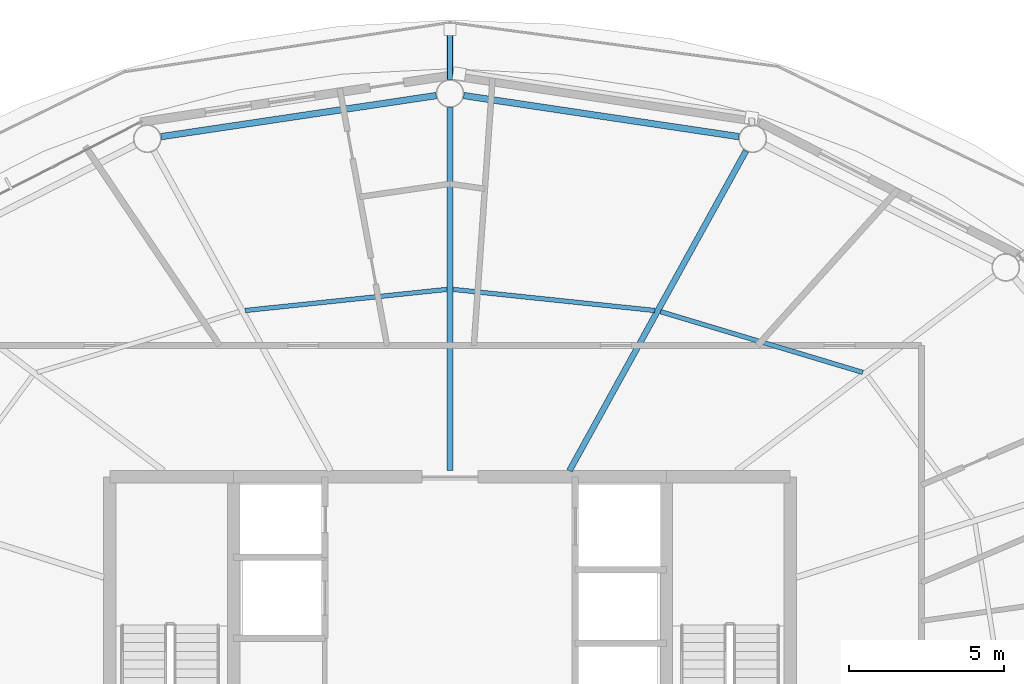
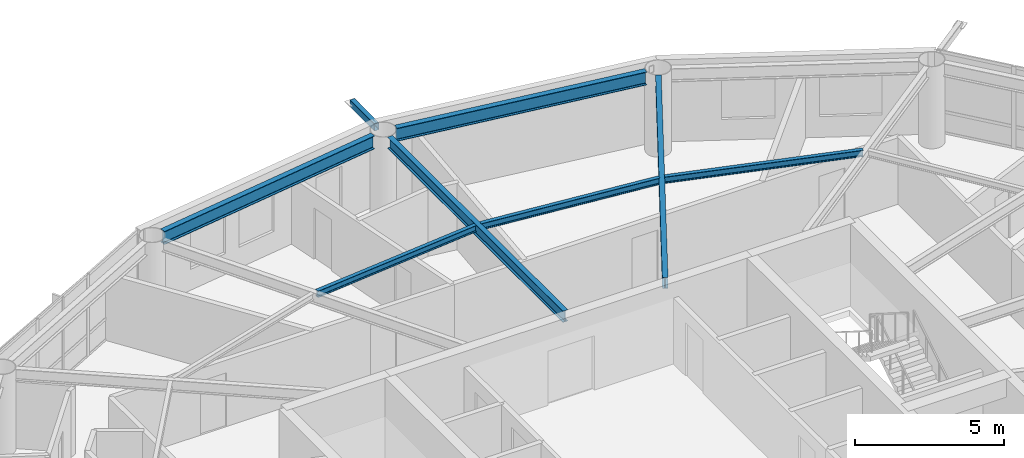
# One storey, part 10 of 22: 7 beams, 1 member.
"""IFC4 building model written with IfcOpenShell, lengths in metres."""

import ifcopenshell
import ifcopenshell.guid

model = None  # the IFC model being written
_history = None  # IfcOwnerHistory: only IFC2X3 demands one
_inside = {}  # id of a spatial element -> (the spatial element, [elements in it])
_under = {}  # id of a project, library or spatial element -> (it, [spatial elements below it])
_declared = {}  # id of a project -> (the project, [libraries it declares])
_typed = {}  # id of a type object -> (the type object, [elements of that type])
_made_of = {}  # id of a material, layer set ... -> (it, [elements and type objects made of it])


def new_model(schema):
    """Start an empty IFC model of exactly this schema.

    Asked for "IFC4X3", IfcOpenShell would pick the latest addendum, in which some entities
    have other attributes; the version numbers below select the first issue.
    IFC2X3 requires an IfcOwnerHistory on every rooted entity: one is made here for all.
    """
    global model, _history
    if schema == "IFC4X3":
        model = ifcopenshell.file(schema_version=(4, 3, 0, 0))
    else:
        model = ifcopenshell.file(schema=schema)
    _inside.clear()
    _under.clear()
    _declared.clear()
    _typed.clear()
    _made_of.clear()
    _history = None
    if model.schema == "IFC2X3":
        org = make("IfcOrganization", Name="unknown")
        user = make(
            "IfcPersonAndOrganization",
            ThePerson=make("IfcPerson", FamilyName="unknown"),
            TheOrganization=org,
        )
        app = make(
            "IfcApplication",
            ApplicationDeveloper=org,
            Version="unknown",
            ApplicationFullName="unknown",
            ApplicationIdentifier="unknown",
        )
        _history = make(
            "IfcOwnerHistory",
            OwningUser=user,
            OwningApplication=app,
            ChangeAction="ADDED",
            CreationDate=0,
        )
    return model


def make(cls, **values):
    """One entity of the class cls with the attributes given. An attribute that is None is left unset."""
    return model.create_entity(
        cls, **{name: value for name, value in values.items() if value is not None}
    )


def rooted(cls, **values):
    """An entity with a GlobalId (a new one), such as an element, a storey or a relation."""
    return make(cls, GlobalId=ifcopenshell.guid.new(), OwnerHistory=_history, **values)


def si_unit(unit_type, name, prefix=None):
    """IfcSIUnit, for example si_unit("LENGTHUNIT", "METRE", prefix="MILLI")."""
    return make("IfcSIUnit", UnitType=unit_type, Prefix=prefix, Name=name)


def assignment(units):
    """IfcUnitAssignment: the units of a project."""
    return None if units is None else make("IfcUnitAssignment", Units=units)


def point(xyz):
    """IfcCartesianPoint."""
    return None if xyz is None else make("IfcCartesianPoint", Coordinates=xyz)


def direction(xyz):
    """IfcDirection."""
    return None if xyz is None else make("IfcDirection", DirectionRatios=xyz)


def frame(location, z_axis=None, x_axis=None):
    """IfcAxis2Placement3D, a coordinate frame: its origin and axes. An axis left out is left unset."""
    return make(
        "IfcAxis2Placement3D",
        Location=point(location),
        Axis=direction(z_axis),
        RefDirection=direction(x_axis),
    )


def frame_2d(location, x_axis=None):
    """IfcAxis2Placement2D, a coordinate frame in the plane: its origin and x axis."""
    return make(
        "IfcAxis2Placement2D", Location=point(location), RefDirection=direction(x_axis)
    )


def origin():
    """The frame at (0, 0, 0) with its axes left unset."""
    return frame((0.0, 0.0, 0.0))


def origin_2d():
    """The frame at (0, 0) in the plane with its x axis left unset."""
    return frame_2d((0.0, 0.0))


def place(relative_to, where):
    """IfcLocalPlacement: puts the frame where relative to a parent placement (None: the world)."""
    return make(
        "IfcLocalPlacement", PlacementRelTo=relative_to, RelativePlacement=where
    )


def context(
    kind, dimensions, precision=None, world=None, true_north=None, identifier=None
):
    """IfcGeometricRepresentationContext, for example the 3D "Model" context."""
    return make(
        "IfcGeometricRepresentationContext",
        ContextIdentifier=identifier,
        ContextType=kind,
        CoordinateSpaceDimension=dimensions,
        Precision=precision,
        WorldCoordinateSystem=world,
        TrueNorth=true_north,
    )


def subcontext(parent, identifier, kind, view, scale=None):
    """IfcGeometricRepresentationSubContext, for example "Body" below "Model"."""
    return make(
        "IfcGeometricRepresentationSubContext",
        ContextIdentifier=identifier,
        ContextType=kind,
        ParentContext=parent,
        TargetScale=scale,
        TargetView=view,
    )


def project(units=None, contexts=None):
    """IfcProject with its units and contexts."""
    return rooted(
        "IfcProject",
        Name="project",
        RepresentationContexts=contexts,
        UnitsInContext=assignment(units),
    )


def spatial(cls, under=None, at=None, **own):
    """A site, building, storey or space (cls), placed at a placement, below another one or the project."""
    s = rooted(cls, ObjectPlacement=at, **own)
    if under is not None:
        _under.setdefault(under.id(), (under, []))[1].append(s)
    return s


def profile(cls, at=None, kind="AREA", **sizes):
    """A parametric profile (cls). Its sizes go by their IFC names, for example OverallWidth=200.0."""
    return make(cls, ProfileType=kind, Position=at, **sizes)


def hollow_rectangle(**sizes):
    """IfcRectangleHollowProfileDef."""
    return profile("IfcRectangleHollowProfileDef", **sizes)


def i_section(**sizes):
    """IfcIShapeProfileDef."""
    return profile("IfcIShapeProfileDef", **sizes)


def extrude(swept, where, along, depth):
    """IfcExtrudedAreaSolid: the profile swept, set in the frame where, extruded along a direction by depth."""
    return make(
        "IfcExtrudedAreaSolid",
        SweptArea=swept,
        Position=where,
        ExtrudedDirection=direction(along),
        Depth=depth,
    )


def shape(context_of_items, identifier, shape_type, items):
    """IfcShapeRepresentation: the items that make up one representation, for example the "Body"."""
    return make(
        "IfcShapeRepresentation",
        ContextOfItems=context_of_items,
        RepresentationIdentifier=identifier,
        RepresentationType=shape_type,
        Items=items,
    )


def material(Name=None, Category=None):
    """IfcMaterial."""
    return make("IfcMaterial", Name=Name, Category=Category)


def material_profile(
    of_material, cross_section, Name=None, Category=None, Priority=None
):
    """IfcMaterialProfile: a cross section and its material."""
    return make(
        "IfcMaterialProfile",
        Name=Name,
        Material=of_material,
        Profile=cross_section,
        Priority=Priority,
        Category=Category,
    )


def profile_set(profiles, Name=None, composite=None):
    """IfcMaterialProfileSet."""
    return make(
        "IfcMaterialProfileSet",
        Name=Name,
        MaterialProfiles=profiles,
        CompositeProfile=composite,
    )


def made_of(thing, what):
    """Note that an element or type object is made of a material, layer set ...; save() writes the relation."""
    if what is not None:
        _made_of.setdefault(what.id(), (what, []))[1].append(thing)
    return thing


def type_object(cls, material=None, **own):
    """A type object (cls), such as IfcWallType, which elements share."""
    return made_of(rooted(cls, **own), material)


def element(
    cls,
    number,
    at=None,
    inside=None,
    cuts=None,
    type_object=None,
    material=None,
    context=None,
    identifier="Body",
    shape_type=None,
    held_by="IfcProductDefinitionShape",
    body=None,
    shapes=None,
    **own,
):
    """One element of the class cls, such as IfcWall. Its Tag is "e" and its number.

    at: its placement. inside: the storey or other place that contains it. cuts: it is an
    opening in that element (IfcRelVoidsElement). A single representation is given by context,
    identifier, shape_type and body (its items); several are given by shapes. held_by: the class
    of the entity that holds the representations. save() writes the other relations.
    """
    e = rooted(cls, Tag="e%d" % number, ObjectPlacement=at, **own)
    if body is not None:
        shapes = [shape(context, identifier, shape_type, body)]
    if shapes is not None:
        e.Representation = make(held_by, Representations=shapes)
    if inside is not None:
        _inside.setdefault(inside.id(), (inside, []))[1].append(e)
    if cuts is not None:
        rooted(
            "IfcRelVoidsElement", RelatingBuildingElement=cuts, RelatedOpeningElement=e
        )
    if type_object is not None:
        _typed.setdefault(type_object.id(), (type_object, []))[1].append(e)
    return made_of(e, material)


def aggregate(whole, parts):
    """IfcRelAggregates: a whole, such as a stair, and the parts it consists of."""
    return rooted("IfcRelAggregates", RelatingObject=whole, RelatedObjects=parts)


def save(model, path):
    """Write the relations noted so far, then the file.

    IfcRelAggregates (storeys below a building ...), IfcRelContainedInSpatialStructure (elements
    in a storey), IfcRelDefinesByType, IfcRelAssociatesMaterial and IfcRelDeclares: one each for
    every whole, place, type object, material and project.
    """
    for whole, parts in _under.values():
        aggregate(whole, parts)
    for where, things in _inside.values():
        rooted(
            "IfcRelContainedInSpatialStructure",
            RelatedElements=things,
            RelatingStructure=where,
        )
    for kind, things in _typed.values():
        rooted("IfcRelDefinesByType", RelatedObjects=things, RelatingType=kind)
    for what, things in _made_of.values():
        rooted("IfcRelAssociatesMaterial", RelatedObjects=things, RelatingMaterial=what)
    for by, libraries in _declared.values():
        rooted("IfcRelDeclares", RelatingContext=by, RelatedDefinitions=libraries)
    model.write(path)


model = new_model("IFC4")

# Units and contexts
model_context = context("Model", 3, precision=1e-05, world=origin(), true_north=direction((0.0, 1.0)))
body_context = subcontext(model_context, "Body", "Model", "MODEL_VIEW")
ifc_project = project(units=[si_unit("LENGTHUNIT", "METRE"), si_unit("AREAUNIT", "SQUARE_METRE"), si_unit("VOLUMEUNIT", "CUBIC_METRE"), si_unit("PLANEANGLEUNIT", "RADIAN"), si_unit("MASSUNIT", "GRAM", prefix="KILO")], contexts=[model_context])

# Site, building, storey
site_placement = place(None, origin())
site = spatial("IfcSite", under=ifc_project, at=site_placement, CompositionType="ELEMENT")
building_placement = place(site_placement, origin())
building = spatial("IfcBuilding", under=site, at=building_placement, Name="Sarneth Arch Tower", CompositionType="ELEMENT")
storey_placement = place(building_placement, frame((0.0, 0.0, 210.0)))
storey = spatial("IfcBuildingStorey", under=building, at=storey_placement, Name="L53", CompositionType="ELEMENT", Elevation=210.0)

# Beams
ifc_material_1 = material(Name="Steel S355", Category="steel")
ifc_material_profile_1 = material_profile(ifc_material_1, i_section(OverallWidth=0.14794921875, OverallDepth=0.26611328125, WebThickness=0.007568359375, FlangeThickness=0.012939453125, FilletRadius=0.012939453125, at=origin_2d()), Name="W250x44.8")
ifc_profile_set_1 = profile_set([ifc_material_profile_1], Name="Steel S355")
beam_type_1 = type_object("IfcBeamType", Name="BM-JOIST-250", PredefinedType="JOIST", material=ifc_profile_set_1)
beam_1_placement = place(storey_placement, frame((61.35009765625, 52.18017578125, 3.22705078125), z_axis=(-0.957725851155, 0.287682453461, 0.0), x_axis=(-0.287682453461, -0.957725851155, 0.0)))
element("IfcBeam", 1, at=beam_1_placement, inside=storey, type_object=beam_type_1, Name="L53 Secondary floor joist 03", PredefinedType="JOIST", context=body_context, shape_type="SweptSolid", body=[
    extrude(i_section(OverallWidth=0.14794921875, OverallDepth=0.26611328125, WebThickness=0.007568359375, FlangeThickness=0.012939453125, FilletRadius=0.012939453125, at=origin_2d()), origin(), (0.0, 0.0, 1.0), 6.828125),
])
for number, where, z_axis, x_axis, name in (
    (2, (54.623046875, 54.18212890625, 3.22705078125), (-0.994572713015, 0.104043829835, 0.0), (-0.104043829835, -0.994572713015, 0.0), "L53 Secondary floor joist 04"),
    (3, (47.904541015625, 54.864990234375, 3.22705078125), (-0.994572713015, -0.104043829835, 0.0), (0.104043829835, -0.994572713015, 0.0), "L53 Secondary floor joist 05"),
):
    element("IfcBeam", number, at=place(storey_placement, frame(where, z_axis=z_axis, x_axis=x_axis)), inside=storey, type_object=beam_type_1, Name=name, PredefinedType="JOIST", context=body_context, shape_type="SweptSolid", body=[
        extrude(i_section(OverallWidth=0.14794921875, OverallDepth=0.26611328125, WebThickness=0.007568359375, FlangeThickness=0.012939453125, FilletRadius=0.012939453125, at=origin_2d()), origin(), (0.0, 0.0, 1.0), 6.563232421875),
    ])
ifc_material_2 = material(Name="Steel S355", Category="steel")
ifc_material_profile_2 = material_profile(ifc_material_2, i_section(OverallWidth=0.19189453125, OverallDepth=0.462890625, WebThickness=0.010498046875, FlangeThickness=0.017578125, FilletRadius=0.01806640625, at=origin_2d()), Name="W460x89")
ifc_profile_set_2 = profile_set([ifc_material_profile_2], Name="Steel S355")
beam_type_2 = type_object("IfcBeamType", Name="BM-RAD-460B", PredefinedType="BEAM", material=ifc_profile_set_2)
beam_2_placement = place(storey_placement, frame((51.86376953125, 49.0, 3.12841796875), z_axis=(0.483218265038, 0.875499919094, 0.0), x_axis=(-0.875499919094, 0.483218265038, 0.0)))
element("IfcBeam", 4, at=beam_2_placement, inside=storey, type_object=beam_type_2, Name="L53 Radial floor girder 04", PredefinedType="BEAM", context=body_context, shape_type="SweptSolid", body=[
    extrude(i_section(OverallWidth=0.19189453125, OverallDepth=0.462890625, WebThickness=0.010498046875, FlangeThickness=0.017578125, FilletRadius=0.01806640625, at=origin_2d()), origin(), (0.0, 0.0, 1.0), 11.8154296875),
])
beam_3_placement = place(storey_placement, frame((48.0, 49.0, 3.12841796875), z_axis=(0.0, 1.0, 0.0), x_axis=(-1.0, 0.0, 0.0)))
element("IfcBeam", 5, at=beam_3_placement, inside=storey, type_object=beam_type_2, Name="L53 Radial floor girder 05", PredefinedType="BEAM", context=body_context, shape_type="SweptSolid", body=[
    extrude(i_section(OverallWidth=0.19189453125, OverallDepth=0.462890625, WebThickness=0.010498046875, FlangeThickness=0.017578125, FilletRadius=0.01806640625, at=origin_2d()), origin(), (0.0, 0.0, 1.0), 11.75),
])
ifc_material_3 = material(Name="Steel S355", Category="steel")
ifc_material_profile_3 = material_profile(ifc_material_3, i_section(OverallWidth=0.2109375, OverallDepth=0.5390625, WebThickness=0.01171875, FlangeThickness=0.018798828125, FilletRadius=0.01806640625, at=origin_2d()), Name="W530x109")
ifc_profile_set_3 = profile_set([ifc_material_profile_3], Name="Steel S355")
beam_type_3 = type_object("IfcBeamType", Name="BM-RAD-530B", PredefinedType="BEAM", material=ifc_profile_set_3)
for number, where, z_axis, x_axis, name in (
    (6, (57.345703125, 59.804931640625, 3.090576171875), (-0.989041765772, 0.147635990052, 0.0), (-0.147635990052, -0.989041765772, 0.0), "L53 Perimeter spandrel beam 04"),
    (7, (47.554931640625, 61.133544921875, 3.090576171875), (-0.989041765772, -0.147635990052, 0.0), (0.147635990052, -0.989041765772, 0.0), "L53 Perimeter spandrel beam 05"),
):
    element("IfcBeam", number, at=place(storey_placement, frame(where, z_axis=z_axis, x_axis=x_axis)), inside=storey, type_object=beam_type_3, Name=name, PredefinedType="BEAM", context=body_context, shape_type="SweptSolid", body=[
        extrude(i_section(OverallWidth=0.2109375, OverallDepth=0.5390625, WebThickness=0.01171875, FlangeThickness=0.018798828125, FilletRadius=0.01806640625, at=origin_2d()), origin(), (0.0, 0.0, 1.0), 8.999267578125),
    ])

# Member
ifc_material_4 = material(Name="Steel S355", Category="steel")
ifc_material_profile_4 = material_profile(ifc_material_4, hollow_rectangle(XDim=0.199951171875, YDim=0.300048828125, WallThickness=0.012451171875, InnerFilletRadius=0.018798828125, OuterFilletRadius=0.03125, at=origin_2d()), Name="RHS300x200x12.5")
ifc_profile_set_4 = profile_set([ifc_material_profile_4], Name="Steel S355")
member_type = type_object("IfcMemberType", Name="MEM-CANT-STRUT", PredefinedType="STRUT", material=ifc_profile_set_4)
member_placement = place(storey_placement, frame((48.0, 61.64990234375, 3.199951171875), z_axis=(0.0, 1.0, 0.0), x_axis=(-1.0, 0.0, 0.0)))
element("IfcMember", 8, at=member_placement, inside=storey, type_object=member_type, Name="L53 Balcony cantilever bracket 05", PredefinedType="STRUT", context=body_context, shape_type="SweptSolid", body=[
    extrude(hollow_rectangle(XDim=0.199951171875, YDim=0.300048828125, WallThickness=0.012451171875, InnerFilletRadius=0.018798828125, OuterFilletRadius=0.03125, at=origin_2d()), origin(), (0.0, 0.0, 1.0), 1.6201171875),
])

save(model, "model.ifc")
